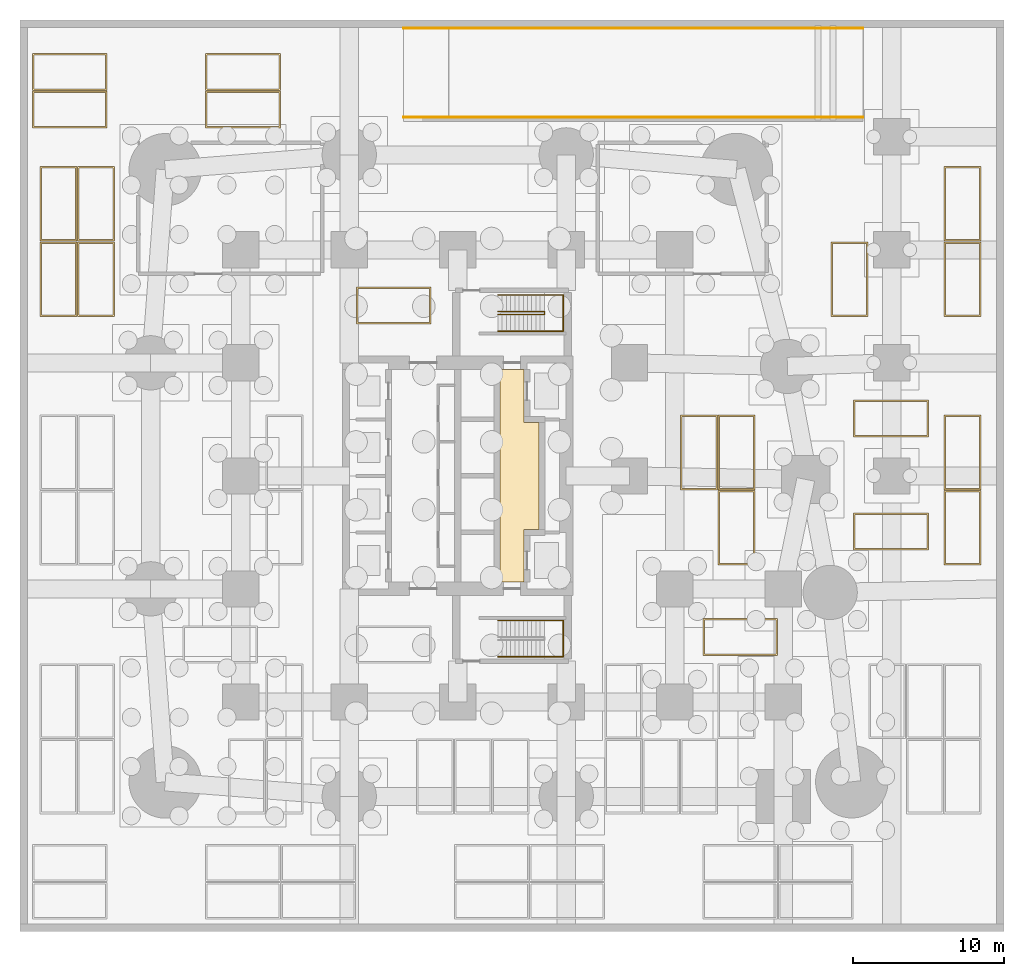
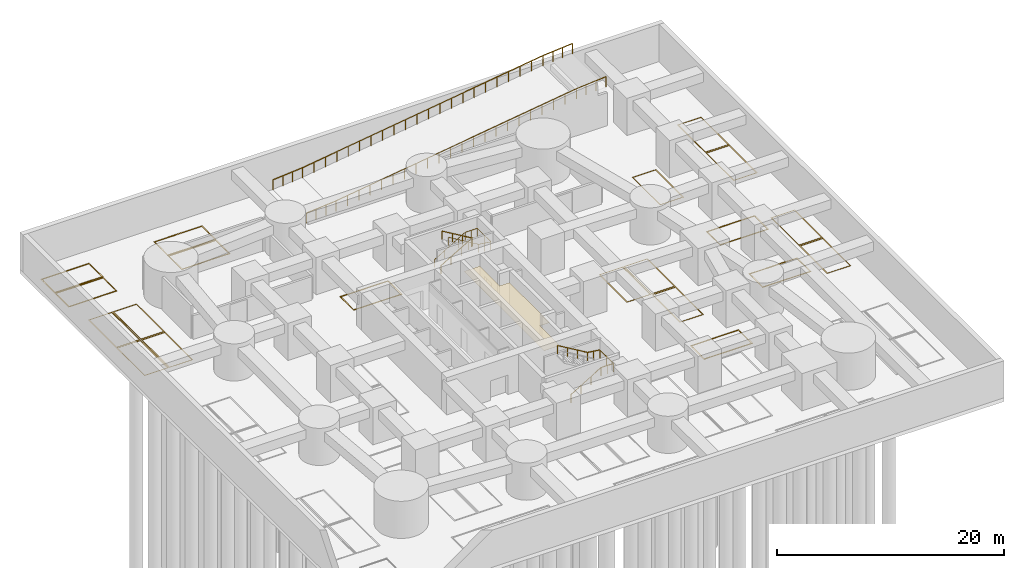
# One storey, part 9 of 10: 21 coverings, 5 railings.
"""IFC4 building model written with IfcOpenShell, lengths in metres."""

from ifc_helpers import new_model, si_unit, direction, frame, origin, origin_2d, place, context, subcontext, project, spatial, polyline, circle, outline, extrude, material, layer, layer_set, type_object, element, save


model = new_model("IFC4")

# Units and contexts
model_context = context("Model", 3, precision=1e-05, world=origin(), true_north=direction((0.0, 1.0)))
body_context = subcontext(model_context, "Body", "Model", "MODEL_VIEW")
ifc_project = project(units=[si_unit("LENGTHUNIT", "METRE"), si_unit("AREAUNIT", "SQUARE_METRE"), si_unit("VOLUMEUNIT", "CUBIC_METRE"), si_unit("PLANEANGLEUNIT", "RADIAN"), si_unit("MASSUNIT", "GRAM", prefix="KILO")], contexts=[model_context])

# Site, building, storey
site_placement = place(None, origin())
site = spatial("IfcSite", under=ifc_project, at=site_placement, CompositionType="ELEMENT")
building_placement = place(site_placement, origin())
building = spatial("IfcBuilding", under=site, at=building_placement, Name="Sheger Commons Tower", CompositionType="ELEMENT")
storey_placement = place(building_placement, frame((0.0, 0.0, -8.0)))
storey = spatial("IfcBuildingStorey", under=building, at=storey_placement, Name="B2", CompositionType="ELEMENT", Elevation=-8.0)

# Railings
ifc_material_1 = material(Name="Steel handrail, black powder-coated", Category="steel")
railing_type_1 = type_object("IfcRailingType", Name="HANDRAIL 900", PredefinedType="HANDRAIL", material=ifc_material_1)
railing_1_placement = place(storey_placement, frame((24.27001953125, 10.5, 0.166748046875)))
element("IfcRailing", 1, at=railing_1_placement, inside=storey, type_object=railing_type_1, Name="Stair S1 handrail B2", PredefinedType="HANDRAIL", context=body_context, shape_type="SweptSolid", body=[
    extrude(circle(Radius=0.02392578125, at=origin_2d()), frame((0.0, 0.0, 0.8759765625), z_axis=(0.859308565015, 0.0, 0.511457515432), x_axis=(0.0, 1.0, 0.0)), (0.0, 0.0, 1.0), 3.58447265625),
    extrude(circle(Radius=0.02392578125, at=origin_2d()), frame((3.080078125, 0.0, 2.708984375), z_axis=(1.0, 0.0, 0.0), x_axis=(0.0, 1.0, 0.0)), (0.0, 0.0, 1.0), 1.25),
    extrude(circle(Radius=0.02392578125, at=origin_2d()), frame((4.330078125, 0.0, 2.708984375), z_axis=(0.0, 1.0, 0.0), x_axis=(-1.0, 0.0, 0.0)), (0.0, 0.0, 1.0), 2.39990234375),
    extrude(circle(Radius=0.02392578125, at=origin_2d()), frame((4.330078125, 2.39990234375, 2.708984375), z_axis=(-0.991219444613, 0.0, 0.132227125131), x_axis=(0.0, -1.0, 0.0)), (0.0, 0.0, 1.0), 1.260986328125),
    extrude(circle(Radius=0.02392578125, at=origin_2d()), frame((3.080078125, 2.39990234375, 2.8759765625), z_axis=(-0.859308565015, 0.0, 0.511457515432), x_axis=(0.0, -1.0, 0.0)), (0.0, 0.0, 1.0), 3.58447265625),
    extrude(circle(Radius=0.02099609375, at=origin_2d()), origin(), (0.0, 0.0, 1.0), 0.851806640625),
    extrude(circle(Radius=0.02099609375, at=origin_2d()), frame((1.026611328125, 0.0, 0.611083984375)), (0.0, 0.0, 1.0), 0.851806640625),
    extrude(circle(Radius=0.02099609375, at=origin_2d()), frame((2.053466796875, 0.0, 1.22216796875)), (0.0, 0.0, 1.0), 0.851806640625),
    extrude(circle(Radius=0.02099609375, at=origin_2d()), frame((3.080078125, 0.0, 1.833251953125)), (0.0, 0.0, 1.0), 0.851806640625),
    extrude(circle(Radius=0.02099609375, at=origin_2d()), frame((3.705078125, 0.0, 1.833251953125)), (0.0, 0.0, 1.0), 0.851806640625),
    extrude(circle(Radius=0.02099609375, at=origin_2d()), frame((4.330078125, 0.0, 1.833251953125)), (0.0, 0.0, 1.0), 0.851806640625),
    extrude(circle(Radius=0.02099609375, at=origin_2d()), frame((4.330078125, 1.199951171875, 1.833251953125)), (0.0, 0.0, 1.0), 0.851806640625),
    extrude(circle(Radius=0.02099609375, at=origin_2d()), frame((4.330078125, 2.39990234375, 1.833251953125)), (0.0, 0.0, 1.0), 0.851806640625),
    extrude(circle(Radius=0.02099609375, at=origin_2d()), frame((3.705078125, 2.39990234375, 1.91650390625)), (0.0, 0.0, 1.0), 0.851806640625),
    extrude(circle(Radius=0.02099609375, at=origin_2d()), frame((3.080078125, 2.39990234375, 2.0)), (0.0, 0.0, 1.0), 0.851806640625),
    extrude(circle(Radius=0.02099609375, at=origin_2d()), frame((2.053466796875, 2.39990234375, 2.611083984375)), (0.0, 0.0, 1.0), 0.851806640625),
    extrude(circle(Radius=0.02099609375, at=origin_2d()), frame((1.026611328125, 2.39990234375, 3.22216796875)), (0.0, 0.0, 1.0), 0.851806640625),
    extrude(circle(Radius=0.02099609375, at=origin_2d()), frame((0.0, 2.39990234375, 3.833251953125)), (0.0, 0.0, 1.0), 0.851806640625),
])
railing_2_placement = place(storey_placement, frame((24.27001953125, 33.39990234375, 0.166748046875)))
element("IfcRailing", 2, at=railing_2_placement, inside=storey, type_object=railing_type_1, Name="Stair S2 handrail B2", PredefinedType="HANDRAIL", context=body_context, shape_type="SweptSolid", body=[
    extrude(circle(Radius=0.02392578125, at=origin_2d()), frame((0.0, 0.0, 0.8759765625), z_axis=(0.859308565015, 0.0, 0.511457515432), x_axis=(0.0, 1.0, 0.0)), (0.0, 0.0, 1.0), 3.58447265625),
    extrude(circle(Radius=0.02392578125, at=origin_2d()), frame((3.080078125, 0.0, 2.708984375), z_axis=(0.0, -0.767990643491, 0.640461061666), x_axis=(1.0, 0.0, 0.0)), (0.0, 0.0, 1.0), 0.26025390625),
    extrude(circle(Radius=0.02392578125, at=origin_2d()), frame((3.080078125, -0.199951171875, 2.8759765625), z_axis=(-0.859308565015, 0.0, 0.511457515432), x_axis=(0.0, -1.0, 0.0)), (0.0, 0.0, 1.0), 3.58447265625),
    extrude(circle(Radius=0.02099609375, at=origin_2d()), origin(), (0.0, 0.0, 1.0), 0.851806640625),
    extrude(circle(Radius=0.02099609375, at=origin_2d()), frame((1.026611328125, 0.0, 0.611083984375)), (0.0, 0.0, 1.0), 0.851806640625),
    extrude(circle(Radius=0.02099609375, at=origin_2d()), frame((2.053466796875, 0.0, 1.22216796875)), (0.0, 0.0, 1.0), 0.851806640625),
    extrude(circle(Radius=0.02099609375, at=origin_2d()), frame((3.080078125, 0.0, 1.833251953125)), (0.0, 0.0, 1.0), 0.851806640625),
    extrude(circle(Radius=0.02099609375, at=origin_2d()), frame((3.080078125, -0.199951171875, 2.0)), (0.0, 0.0, 1.0), 0.851806640625),
    extrude(circle(Radius=0.02099609375, at=origin_2d()), frame((2.053466796875, -0.199951171875, 2.611083984375)), (0.0, 0.0, 1.0), 0.851806640625),
    extrude(circle(Radius=0.02099609375, at=origin_2d()), frame((1.026611328125, -0.199951171875, 3.22216796875)), (0.0, 0.0, 1.0), 0.851806640625),
    extrude(circle(Radius=0.02099609375, at=origin_2d()), frame((0.0, -0.199951171875, 3.833251953125)), (0.0, 0.0, 1.0), 0.851806640625),
])
railing_3_placement = place(storey_placement, frame((24.27001953125, 34.5, 0.166748046875)))
element("IfcRailing", 3, at=railing_3_placement, inside=storey, type_object=railing_type_1, Name="Stair S2 handrail B2", PredefinedType="HANDRAIL", context=body_context, shape_type="SweptSolid", body=[
    extrude(circle(Radius=0.02392578125, at=origin_2d()), frame((0.0, 0.0, 0.8759765625), z_axis=(0.859308565015, 0.0, 0.511457515432), x_axis=(0.0, 1.0, 0.0)), (0.0, 0.0, 1.0), 3.58447265625),
    extrude(circle(Radius=0.02392578125, at=origin_2d()), frame((3.080078125, 0.0, 2.708984375), z_axis=(1.0, 0.0, 0.0), x_axis=(0.0, 1.0, 0.0)), (0.0, 0.0, 1.0), 1.25),
    extrude(circle(Radius=0.02392578125, at=origin_2d()), frame((4.330078125, 0.0, 2.708984375), z_axis=(0.0, -1.0, 0.0), x_axis=(1.0, 0.0, 0.0)), (0.0, 0.0, 1.0), 2.39990234375),
    extrude(circle(Radius=0.02392578125, at=origin_2d()), frame((4.330078125, -2.39990234375, 2.708984375), z_axis=(-0.991219444613, 0.0, 0.132227125131), x_axis=(0.0, -1.0, 0.0)), (0.0, 0.0, 1.0), 1.260986328125),
    extrude(circle(Radius=0.02392578125, at=origin_2d()), frame((3.080078125, -2.39990234375, 2.8759765625), z_axis=(-0.859308565015, 0.0, 0.511457515432), x_axis=(0.0, -1.0, 0.0)), (0.0, 0.0, 1.0), 3.58447265625),
    extrude(circle(Radius=0.02099609375, at=origin_2d()), origin(), (0.0, 0.0, 1.0), 0.851806640625),
    extrude(circle(Radius=0.02099609375, at=origin_2d()), frame((1.026611328125, 0.0, 0.611083984375)), (0.0, 0.0, 1.0), 0.851806640625),
    extrude(circle(Radius=0.02099609375, at=origin_2d()), frame((2.053466796875, 0.0, 1.22216796875)), (0.0, 0.0, 1.0), 0.851806640625),
    extrude(circle(Radius=0.02099609375, at=origin_2d()), frame((3.080078125, 0.0, 1.833251953125)), (0.0, 0.0, 1.0), 0.851806640625),
    extrude(circle(Radius=0.02099609375, at=origin_2d()), frame((3.705078125, 0.0, 1.833251953125)), (0.0, 0.0, 1.0), 0.851806640625),
    extrude(circle(Radius=0.02099609375, at=origin_2d()), frame((4.330078125, 0.0, 1.833251953125)), (0.0, 0.0, 1.0), 0.851806640625),
    extrude(circle(Radius=0.02099609375, at=origin_2d()), frame((4.330078125, -1.199951171875, 1.833251953125)), (0.0, 0.0, 1.0), 0.851806640625),
    extrude(circle(Radius=0.02099609375, at=origin_2d()), frame((4.330078125, -2.39990234375, 1.833251953125)), (0.0, 0.0, 1.0), 0.851806640625),
    extrude(circle(Radius=0.02099609375, at=origin_2d()), frame((3.705078125, -2.39990234375, 1.91650390625)), (0.0, 0.0, 1.0), 0.851806640625),
    extrude(circle(Radius=0.02099609375, at=origin_2d()), frame((3.080078125, -2.39990234375, 2.0)), (0.0, 0.0, 1.0), 0.851806640625),
    extrude(circle(Radius=0.02099609375, at=origin_2d()), frame((2.053466796875, -2.39990234375, 2.611083984375)), (0.0, 0.0, 1.0), 0.851806640625),
    extrude(circle(Radius=0.02099609375, at=origin_2d()), frame((1.026611328125, -2.39990234375, 3.22216796875)), (0.0, 0.0, 1.0), 0.851806640625),
    extrude(circle(Radius=0.02099609375, at=origin_2d()), frame((0.0, -2.39990234375, 3.833251953125)), (0.0, 0.0, 1.0), 0.851806640625),
])

# Coverings
ifc_material_2 = material(Name="Thermoplastic road marking, white")
ifc_layer_1 = layer(ifc_material_2, 0.0048828125)
ifc_layer_set_1 = layer_set([ifc_layer_1], Name="PARKING BAY MARKING")
covering_type_1 = type_object("IfcCoveringType", Name="PARKING BAY MARKING", PredefinedType="FLOORING", material=ifc_layer_set_1)
covering_1_placement = place(storey_placement, origin())
element("IfcCovering", 4, at=covering_1_placement, inside=storey, type_object=covering_type_1, Name="Parking bay B2-037 marking", PredefinedType="FLOORING", context=body_context, shape_type="SweptSolid", body=[
    extrude(outline(polyline([(37.875, 10.574951171875), (42.824951171875, 10.574951171875), (42.824951171875, 13.02490234375), (37.875, 13.02490234375), (37.875, 10.574951171875)]), holes=[polyline([(42.72509765625, 12.925048828125), (42.72509765625, 10.675048828125), (37.97509765625, 10.675048828125), (37.97509765625, 12.925048828125), (42.72509765625, 12.925048828125)])]), origin(), (0.0, 0.0, 1.0), 0.0048828125),
])
covering_2_placement = place(storey_placement, origin())
element("IfcCovering", 5, at=covering_2_placement, inside=storey, type_object=covering_type_1, Name="Parking bay B2-041 marking", PredefinedType="FLOORING", context=body_context, shape_type="SweptSolid", body=[
    extrude(outline(polyline([(38.875, 16.574951171875), (41.324951171875, 16.574951171875), (41.324951171875, 21.52490234375), (38.875, 21.52490234375), (38.875, 16.574951171875)]), holes=[polyline([(41.22509765625, 21.425048828125), (41.22509765625, 16.675048828125), (38.97509765625, 16.675048828125), (38.97509765625, 21.425048828125), (41.22509765625, 21.425048828125)])]), origin(), (0.0, 0.0, 1.0), 0.0048828125),
])
covering_3_placement = place(storey_placement, origin())
element("IfcCovering", 6, at=covering_3_placement, inside=storey, type_object=covering_type_1, Name="Parking bay B2-042 marking", PredefinedType="FLOORING", context=body_context, shape_type="SweptSolid", body=[
    extrude(outline(polyline([(53.875, 16.574951171875), (56.324951171875, 16.574951171875), (56.324951171875, 21.52490234375), (53.875, 21.52490234375), (53.875, 16.574951171875)]), holes=[polyline([(56.22509765625, 21.425048828125), (56.22509765625, 16.675048828125), (53.97509765625, 16.675048828125), (53.97509765625, 21.425048828125), (56.22509765625, 21.425048828125)])]), origin(), (0.0, 0.0, 1.0), 0.0048828125),
])
covering_4_placement = place(storey_placement, origin())
element("IfcCovering", 7, at=covering_4_placement, inside=storey, type_object=covering_type_1, Name="Parking bay B2-043 marking", PredefinedType="FLOORING", context=body_context, shape_type="SweptSolid", body=[
    extrude(outline(polyline([(47.875, 17.574951171875), (52.824951171875, 17.574951171875), (52.824951171875, 20.02490234375), (47.875, 20.02490234375), (47.875, 17.574951171875)]), holes=[polyline([(52.72509765625, 19.925048828125), (52.72509765625, 17.675048828125), (47.97509765625, 17.675048828125), (47.97509765625, 19.925048828125), (52.72509765625, 19.925048828125)])]), origin(), (0.0, 0.0, 1.0), 0.0048828125),
])
covering_5_placement = place(storey_placement, origin())
element("IfcCovering", 8, at=covering_5_placement, inside=storey, type_object=covering_type_1, Name="Parking bay B2-047 marking", PredefinedType="FLOORING", context=body_context, shape_type="SweptSolid", body=[
    extrude(outline(polyline([(36.375, 21.574951171875), (38.824951171875, 21.574951171875), (38.824951171875, 26.52490234375), (36.375, 26.52490234375), (36.375, 21.574951171875)]), holes=[polyline([(38.72509765625, 26.425048828125), (38.72509765625, 21.675048828125), (36.47509765625, 21.675048828125), (36.47509765625, 26.425048828125), (38.72509765625, 26.425048828125)])]), origin(), (0.0, 0.0, 1.0), 0.0048828125),
])
covering_6_placement = place(storey_placement, origin())
element("IfcCovering", 9, at=covering_6_placement, inside=storey, type_object=covering_type_1, Name="Parking bay B2-048 marking", PredefinedType="FLOORING", context=body_context, shape_type="SweptSolid", body=[
    extrude(outline(polyline([(38.875, 21.574951171875), (41.324951171875, 21.574951171875), (41.324951171875, 26.52490234375), (38.875, 26.52490234375), (38.875, 21.574951171875)]), holes=[polyline([(41.22509765625, 26.425048828125), (41.22509765625, 21.675048828125), (38.97509765625, 21.675048828125), (38.97509765625, 26.425048828125), (41.22509765625, 26.425048828125)])]), origin(), (0.0, 0.0, 1.0), 0.0048828125),
])
covering_7_placement = place(storey_placement, origin())
element("IfcCovering", 10, at=covering_7_placement, inside=storey, type_object=covering_type_1, Name="Parking bay B2-049 marking", PredefinedType="FLOORING", context=body_context, shape_type="SweptSolid", body=[
    extrude(outline(polyline([(53.875, 21.574951171875), (56.324951171875, 21.574951171875), (56.324951171875, 26.52490234375), (53.875, 26.52490234375), (53.875, 21.574951171875)]), holes=[polyline([(56.22509765625, 26.425048828125), (56.22509765625, 21.675048828125), (53.97509765625, 21.675048828125), (53.97509765625, 26.425048828125), (56.22509765625, 26.425048828125)])]), origin(), (0.0, 0.0, 1.0), 0.0048828125),
])
covering_8_placement = place(storey_placement, origin())
element("IfcCovering", 11, at=covering_8_placement, inside=storey, type_object=covering_type_1, Name="Parking bay B2-050 marking", PredefinedType="FLOORING", context=body_context, shape_type="SweptSolid", body=[
    extrude(outline(polyline([(47.875, 25.074951171875), (52.824951171875, 25.074951171875), (52.824951171875, 27.52490234375), (47.875, 27.52490234375), (47.875, 25.074951171875)]), holes=[polyline([(52.72509765625, 27.425048828125), (52.72509765625, 25.175048828125), (47.97509765625, 25.175048828125), (47.97509765625, 27.425048828125), (52.72509765625, 27.425048828125)])]), origin(), (0.0, 0.0, 1.0), 0.0048828125),
])
covering_9_placement = place(storey_placement, origin())
element("IfcCovering", 12, at=covering_9_placement, inside=storey, type_object=covering_type_1, Name="Parking bay B2-051 marking", PredefinedType="FLOORING", context=body_context, shape_type="SweptSolid", body=[
    extrude(outline(polyline([(14.875, 32.574951171875), (19.824951171875, 32.574951171875), (19.824951171875, 35.02490234375), (14.875, 35.02490234375), (14.875, 32.574951171875)]), holes=[polyline([(19.72509765625, 34.925048828125), (19.72509765625, 32.675048828125), (14.97509765625, 32.675048828125), (14.97509765625, 34.925048828125), (19.72509765625, 34.925048828125)])]), origin(), (0.0, 0.0, 1.0), 0.0048828125),
])
covering_10_placement = place(storey_placement, origin())
element("IfcCovering", 13, at=covering_10_placement, inside=storey, type_object=covering_type_1, Name="Parking bay B2-052 marking", PredefinedType="FLOORING", context=body_context, shape_type="SweptSolid", body=[
    extrude(outline(polyline([(-6.125, 33.074951171875), (-3.675048828125, 33.074951171875), (-3.675048828125, 38.02490234375), (-6.125, 38.02490234375), (-6.125, 33.074951171875)]), holes=[polyline([(-3.77490234375, 37.925048828125), (-3.77490234375, 33.175048828125), (-6.02490234375, 33.175048828125), (-6.02490234375, 37.925048828125), (-3.77490234375, 37.925048828125)])]), origin(), (0.0, 0.0, 1.0), 0.0048828125),
])
covering_11_placement = place(storey_placement, origin())
element("IfcCovering", 14, at=covering_11_placement, inside=storey, type_object=covering_type_1, Name="Parking bay B2-053 marking", PredefinedType="FLOORING", context=body_context, shape_type="SweptSolid", body=[
    extrude(outline(polyline([(-3.625, 33.074951171875), (-1.175048828125, 33.074951171875), (-1.175048828125, 38.02490234375), (-3.625, 38.02490234375), (-3.625, 33.074951171875)]), holes=[polyline([(-1.27490234375, 37.925048828125), (-1.27490234375, 33.175048828125), (-3.52490234375, 33.175048828125), (-3.52490234375, 37.925048828125), (-1.27490234375, 37.925048828125)])]), origin(), (0.0, 0.0, 1.0), 0.0048828125),
])
covering_12_placement = place(storey_placement, origin())
element("IfcCovering", 15, at=covering_12_placement, inside=storey, type_object=covering_type_1, Name="Parking bay B2-054 marking", PredefinedType="FLOORING", context=body_context, shape_type="SweptSolid", body=[
    extrude(outline(polyline([(46.375, 33.074951171875), (48.824951171875, 33.074951171875), (48.824951171875, 38.02490234375), (46.375, 38.02490234375), (46.375, 33.074951171875)]), holes=[polyline([(48.72509765625, 37.925048828125), (48.72509765625, 33.175048828125), (46.47509765625, 33.175048828125), (46.47509765625, 37.925048828125), (48.72509765625, 37.925048828125)])]), origin(), (0.0, 0.0, 1.0), 0.0048828125),
])
covering_13_placement = place(storey_placement, origin())
element("IfcCovering", 16, at=covering_13_placement, inside=storey, type_object=covering_type_1, Name="Parking bay B2-055 marking", PredefinedType="FLOORING", context=body_context, shape_type="SweptSolid", body=[
    extrude(outline(polyline([(53.875, 33.074951171875), (56.324951171875, 33.074951171875), (56.324951171875, 38.02490234375), (53.875, 38.02490234375), (53.875, 33.074951171875)]), holes=[polyline([(56.22509765625, 37.925048828125), (56.22509765625, 33.175048828125), (53.97509765625, 33.175048828125), (53.97509765625, 37.925048828125), (56.22509765625, 37.925048828125)])]), origin(), (0.0, 0.0, 1.0), 0.0048828125),
])
covering_14_placement = place(storey_placement, origin())
element("IfcCovering", 17, at=covering_14_placement, inside=storey, type_object=covering_type_1, Name="Parking bay B2-056 marking", PredefinedType="FLOORING", context=body_context, shape_type="SweptSolid", body=[
    extrude(outline(polyline([(-6.125, 38.074951171875), (-3.675048828125, 38.074951171875), (-3.675048828125, 43.02490234375), (-6.125, 43.02490234375), (-6.125, 38.074951171875)]), holes=[polyline([(-3.77490234375, 42.925048828125), (-3.77490234375, 38.175048828125), (-6.02490234375, 38.175048828125), (-6.02490234375, 42.925048828125), (-3.77490234375, 42.925048828125)])]), origin(), (0.0, 0.0, 1.0), 0.0048828125),
])
covering_15_placement = place(storey_placement, origin())
element("IfcCovering", 18, at=covering_15_placement, inside=storey, type_object=covering_type_1, Name="Parking bay B2-057 marking", PredefinedType="FLOORING", context=body_context, shape_type="SweptSolid", body=[
    extrude(outline(polyline([(-3.625, 38.074951171875), (-1.175048828125, 38.074951171875), (-1.175048828125, 43.02490234375), (-3.625, 43.02490234375), (-3.625, 38.074951171875)]), holes=[polyline([(-1.27490234375, 42.925048828125), (-1.27490234375, 38.175048828125), (-3.52490234375, 38.175048828125), (-3.52490234375, 42.925048828125), (-1.27490234375, 42.925048828125)])]), origin(), (0.0, 0.0, 1.0), 0.0048828125),
])
covering_16_placement = place(storey_placement, origin())
element("IfcCovering", 19, at=covering_16_placement, inside=storey, type_object=covering_type_1, Name="Parking bay B2-058 marking", PredefinedType="FLOORING", context=body_context, shape_type="SweptSolid", body=[
    extrude(outline(polyline([(53.875, 38.074951171875), (56.324951171875, 38.074951171875), (56.324951171875, 43.02490234375), (53.875, 43.02490234375), (53.875, 38.074951171875)]), holes=[polyline([(56.22509765625, 42.925048828125), (56.22509765625, 38.175048828125), (53.97509765625, 38.175048828125), (53.97509765625, 42.925048828125), (56.22509765625, 42.925048828125)])]), origin(), (0.0, 0.0, 1.0), 0.0048828125),
])
covering_17_placement = place(storey_placement, origin())
element("IfcCovering", 20, at=covering_17_placement, inside=storey, type_object=covering_type_1, Name="Parking bay B2-059 marking", PredefinedType="FLOORING", context=body_context, shape_type="SweptSolid", body=[
    extrude(outline(polyline([(-6.625, 45.574951171875), (-1.675048828125, 45.574951171875), (-1.675048828125, 48.02490234375), (-6.625, 48.02490234375), (-6.625, 45.574951171875)]), holes=[polyline([(-1.77490234375, 47.925048828125), (-1.77490234375, 45.675048828125), (-6.52490234375, 45.675048828125), (-6.52490234375, 47.925048828125), (-1.77490234375, 47.925048828125)])]), origin(), (0.0, 0.0, 1.0), 0.0048828125),
])
covering_18_placement = place(storey_placement, origin())
element("IfcCovering", 21, at=covering_18_placement, inside=storey, type_object=covering_type_1, Name="Parking bay B2-060 marking", PredefinedType="FLOORING", context=body_context, shape_type="SweptSolid", body=[
    extrude(outline(polyline([(4.875, 45.574951171875), (9.824951171875, 45.574951171875), (9.824951171875, 48.02490234375), (4.875, 48.02490234375), (4.875, 45.574951171875)]), holes=[polyline([(9.72509765625, 47.925048828125), (9.72509765625, 45.675048828125), (4.97509765625, 45.675048828125), (4.97509765625, 47.925048828125), (9.72509765625, 47.925048828125)])]), origin(), (0.0, 0.0, 1.0), 0.0048828125),
])
covering_19_placement = place(storey_placement, origin())
element("IfcCovering", 22, at=covering_19_placement, inside=storey, type_object=covering_type_1, Name="Parking bay B2-061 marking", PredefinedType="FLOORING", context=body_context, shape_type="SweptSolid", body=[
    extrude(outline(polyline([(-6.625, 48.074951171875), (-1.675048828125, 48.074951171875), (-1.675048828125, 50.52490234375), (-6.625, 50.52490234375), (-6.625, 48.074951171875)]), holes=[polyline([(-1.77490234375, 50.425048828125), (-1.77490234375, 48.175048828125), (-6.52490234375, 48.175048828125), (-6.52490234375, 50.425048828125), (-1.77490234375, 50.425048828125)])]), origin(), (0.0, 0.0, 1.0), 0.0048828125),
])
covering_20_placement = place(storey_placement, origin())
element("IfcCovering", 23, at=covering_20_placement, inside=storey, type_object=covering_type_1, Name="Parking bay B2-062 marking", PredefinedType="FLOORING", context=body_context, shape_type="SweptSolid", body=[
    extrude(outline(polyline([(4.875, 48.074951171875), (9.824951171875, 48.074951171875), (9.824951171875, 50.52490234375), (4.875, 50.52490234375), (4.875, 48.074951171875)]), holes=[polyline([(9.72509765625, 50.425048828125), (9.72509765625, 48.175048828125), (4.97509765625, 48.175048828125), (4.97509765625, 50.425048828125), (9.72509765625, 50.425048828125)])]), origin(), (0.0, 0.0, 1.0), 0.0048828125),
])
ifc_material_3 = material(Name="Gypsum plasterboard 15 mm on a suspended steel grid", Category="steel")
ifc_layer_2 = layer(ifc_material_3, 0.014892578125)
ifc_layer_set_2 = layer_set([ifc_layer_2], Name="SUSPENDED CEILING 15")
covering_type_2 = type_object("IfcCoveringType", Name="SUSPENDED CEILING 15", PredefinedType="CEILING", material=ifc_layer_set_2)
covering_21_placement = place(storey_placement, frame((0.0, 0.0, 2.699951171875)))
element("IfcCovering", 24, at=covering_21_placement, inside=storey, type_object=covering_type_2, Name="B2-FL ceiling", PredefinedType="CEILING", context=body_context, shape_type="SweptSolid", body=[
    extrude(outline(polyline([(24.405029296875, 15.455078125), (25.9951171875, 15.455078125), (25.9951171875, 18.955078125), (26.9951171875, 18.955078125), (26.9951171875, 26.044921875), (25.9951171875, 26.044921875), (25.9951171875, 29.544921875), (24.405029296875, 29.544921875), (24.405029296875, 15.455078125)])), origin(), (0.0, 0.0, 1.0), 0.01513671875),
])

# Railings
ifc_material_4 = material(Name="Galvanised steel vehicle barrier rail", Category="steel")
railing_type_2 = type_object("IfcRailingType", Name="VEHICLE GUARD 1100", PredefinedType="GUARDRAIL", material=ifc_material_4)
railing_4_placement = place(storey_placement, frame((48.5, 46.300048828125, 4.0)))
element("IfcRailing", 25, at=railing_4_placement, inside=storey, type_object=railing_type_2, Name="R2 ramp guard south", PredefinedType="GUARDRAIL", context=body_context, shape_type="SweptSolid", body=[
    extrude(circle(Radius=0.02392578125, at=origin_2d()), frame((0.0, 0.0, 1.0771484375), z_axis=(-0.996545758245, 0.0, -0.083045479854), x_axis=(0.0, -1.0, 0.0)), (0.0, 0.0, 1.0), 3.010498046875),
    extrude(circle(Radius=0.02392578125, at=origin_2d()), frame((-3.0, 0.0, 0.8271484375), z_axis=(-0.989949493661, 0.0, -0.141421356237), x_axis=(0.0, -1.0, 0.0)), (0.0, 0.0, 1.0), 24.748779296875),
    extrude(circle(Radius=0.02392578125, at=origin_2d()), frame((-27.5, 0.0, -2.6728515625), z_axis=(-0.996545758245, 0.0, -0.083045479854), x_axis=(0.0, -1.0, 0.0)), (0.0, 0.0, 1.0), 3.010498046875),
    extrude(circle(Radius=0.02099609375, at=origin_2d()), origin(), (0.0, 0.0, 1.0), 1.052001953125),
    extrude(circle(Radius=0.02099609375, at=origin_2d()), frame((-1.0, 0.0, -0.083251953125)), (0.0, 0.0, 1.0), 1.052001953125),
    extrude(circle(Radius=0.02099609375, at=origin_2d()), frame((-2.0, 0.0, -0.166748046875)), (0.0, 0.0, 1.0), 1.052001953125),
    extrude(circle(Radius=0.02099609375, at=origin_2d()), frame((-3.0, 0.0, -0.25)), (0.0, 0.0, 1.0), 1.052001953125),
    extrude(circle(Radius=0.02099609375, at=origin_2d()), frame((-4.166748046875, 0.0, -0.416748046875)), (0.0, 0.0, 1.0), 1.052001953125),
    extrude(circle(Radius=0.02099609375, at=origin_2d()), frame((-5.333251953125, 0.0, -0.583251953125)), (0.0, 0.0, 1.0), 1.052001953125),
    extrude(circle(Radius=0.02099609375, at=origin_2d()), frame((-6.5, 0.0, -0.75)), (0.0, 0.0, 1.0), 1.052001953125),
    extrude(circle(Radius=0.02099609375, at=origin_2d()), frame((-7.666748046875, 0.0, -0.916748046875)), (0.0, 0.0, 1.0), 1.052001953125),
    extrude(circle(Radius=0.02099609375, at=origin_2d()), frame((-8.833251953125, 0.0, -1.083251953125)), (0.0, 0.0, 1.0), 1.052001953125),
    extrude(circle(Radius=0.02099609375, at=origin_2d()), frame((-10.0, 0.0, -1.25)), (0.0, 0.0, 1.0), 1.052001953125),
    extrude(circle(Radius=0.02099609375, at=origin_2d()), frame((-11.166748046875, 0.0, -1.416748046875)), (0.0, 0.0, 1.0), 1.052001953125),
    extrude(circle(Radius=0.02099609375, at=origin_2d()), frame((-12.333251953125, 0.0, -1.583251953125)), (0.0, 0.0, 1.0), 1.052001953125),
    extrude(circle(Radius=0.02099609375, at=origin_2d()), frame((-13.5, 0.0, -1.75)), (0.0, 0.0, 1.0), 1.052001953125),
    extrude(circle(Radius=0.02099609375, at=origin_2d()), frame((-14.666748046875, 0.0, -1.916748046875)), (0.0, 0.0, 1.0), 1.052001953125),
    extrude(circle(Radius=0.02099609375, at=origin_2d()), frame((-15.833251953125, 0.0, -2.083251953125)), (0.0, 0.0, 1.0), 1.052001953125),
    extrude(circle(Radius=0.02099609375, at=origin_2d()), frame((-17.0, 0.0, -2.25)), (0.0, 0.0, 1.0), 1.052001953125),
    extrude(circle(Radius=0.02099609375, at=origin_2d()), frame((-18.166748046875, 0.0, -2.416748046875)), (0.0, 0.0, 1.0), 1.052001953125),
    extrude(circle(Radius=0.02099609375, at=origin_2d()), frame((-19.333251953125, 0.0, -2.583251953125)), (0.0, 0.0, 1.0), 1.052001953125),
    extrude(circle(Radius=0.02099609375, at=origin_2d()), frame((-20.5, 0.0, -2.75)), (0.0, 0.0, 1.0), 1.052001953125),
    extrude(circle(Radius=0.02099609375, at=origin_2d()), frame((-21.666748046875, 0.0, -2.916748046875)), (0.0, 0.0, 1.0), 1.052001953125),
    extrude(circle(Radius=0.02099609375, at=origin_2d()), frame((-22.833251953125, 0.0, -3.083251953125)), (0.0, 0.0, 1.0), 1.052001953125),
    extrude(circle(Radius=0.02099609375, at=origin_2d()), frame((-24.0, 0.0, -3.25)), (0.0, 0.0, 1.0), 1.052001953125),
    extrude(circle(Radius=0.02099609375, at=origin_2d()), frame((-25.166748046875, 0.0, -3.416748046875)), (0.0, 0.0, 1.0), 1.052001953125),
    extrude(circle(Radius=0.02099609375, at=origin_2d()), frame((-26.333251953125, 0.0, -3.583251953125)), (0.0, 0.0, 1.0), 1.052001953125),
    extrude(circle(Radius=0.02099609375, at=origin_2d()), frame((-27.5, 0.0, -3.75)), (0.0, 0.0, 1.0), 1.052001953125),
    extrude(circle(Radius=0.02099609375, at=origin_2d()), frame((-28.5, 0.0, -3.833251953125)), (0.0, 0.0, 1.0), 1.052001953125),
    extrude(circle(Radius=0.02099609375, at=origin_2d()), frame((-29.5, 0.0, -3.916748046875)), (0.0, 0.0, 1.0), 1.052001953125),
    extrude(circle(Radius=0.02099609375, at=origin_2d()), frame((-30.5, 0.0, -4.0)), (0.0, 0.0, 1.0), 1.052001953125),
])
railing_5_placement = place(storey_placement, frame((48.5, 52.199951171875, 4.0)))
element("IfcRailing", 26, at=railing_5_placement, inside=storey, type_object=railing_type_2, Name="R2 ramp guard north", PredefinedType="GUARDRAIL", context=body_context, shape_type="SweptSolid", body=[
    extrude(circle(Radius=0.02392578125, at=origin_2d()), frame((0.0, 0.0, 1.0771484375), z_axis=(-0.996545758245, 0.0, -0.083045479854), x_axis=(0.0, -1.0, 0.0)), (0.0, 0.0, 1.0), 3.010498046875),
    extrude(circle(Radius=0.02392578125, at=origin_2d()), frame((-3.0, 0.0, 0.8271484375), z_axis=(-0.989949493661, 0.0, -0.141421356237), x_axis=(0.0, -1.0, 0.0)), (0.0, 0.0, 1.0), 24.748779296875),
    extrude(circle(Radius=0.02392578125, at=origin_2d()), frame((-27.5, 0.0, -2.6728515625), z_axis=(-0.996545758245, 0.0, -0.083045479854), x_axis=(0.0, -1.0, 0.0)), (0.0, 0.0, 1.0), 3.010498046875),
    extrude(circle(Radius=0.02099609375, at=origin_2d()), origin(), (0.0, 0.0, 1.0), 1.052001953125),
    extrude(circle(Radius=0.02099609375, at=origin_2d()), frame((-1.0, 0.0, -0.083251953125)), (0.0, 0.0, 1.0), 1.052001953125),
    extrude(circle(Radius=0.02099609375, at=origin_2d()), frame((-2.0, 0.0, -0.166748046875)), (0.0, 0.0, 1.0), 1.052001953125),
    extrude(circle(Radius=0.02099609375, at=origin_2d()), frame((-3.0, 0.0, -0.25)), (0.0, 0.0, 1.0), 1.052001953125),
    extrude(circle(Radius=0.02099609375, at=origin_2d()), frame((-4.166748046875, 0.0, -0.416748046875)), (0.0, 0.0, 1.0), 1.052001953125),
    extrude(circle(Radius=0.02099609375, at=origin_2d()), frame((-5.333251953125, 0.0, -0.583251953125)), (0.0, 0.0, 1.0), 1.052001953125),
    extrude(circle(Radius=0.02099609375, at=origin_2d()), frame((-6.5, 0.0, -0.75)), (0.0, 0.0, 1.0), 1.052001953125),
    extrude(circle(Radius=0.02099609375, at=origin_2d()), frame((-7.666748046875, 0.0, -0.916748046875)), (0.0, 0.0, 1.0), 1.052001953125),
    extrude(circle(Radius=0.02099609375, at=origin_2d()), frame((-8.833251953125, 0.0, -1.083251953125)), (0.0, 0.0, 1.0), 1.052001953125),
    extrude(circle(Radius=0.02099609375, at=origin_2d()), frame((-10.0, 0.0, -1.25)), (0.0, 0.0, 1.0), 1.052001953125),
    extrude(circle(Radius=0.02099609375, at=origin_2d()), frame((-11.166748046875, 0.0, -1.416748046875)), (0.0, 0.0, 1.0), 1.052001953125),
    extrude(circle(Radius=0.02099609375, at=origin_2d()), frame((-12.333251953125, 0.0, -1.583251953125)), (0.0, 0.0, 1.0), 1.052001953125),
    extrude(circle(Radius=0.02099609375, at=origin_2d()), frame((-13.5, 0.0, -1.75)), (0.0, 0.0, 1.0), 1.052001953125),
    extrude(circle(Radius=0.02099609375, at=origin_2d()), frame((-14.666748046875, 0.0, -1.916748046875)), (0.0, 0.0, 1.0), 1.052001953125),
    extrude(circle(Radius=0.02099609375, at=origin_2d()), frame((-15.833251953125, 0.0, -2.083251953125)), (0.0, 0.0, 1.0), 1.052001953125),
    extrude(circle(Radius=0.02099609375, at=origin_2d()), frame((-17.0, 0.0, -2.25)), (0.0, 0.0, 1.0), 1.052001953125),
    extrude(circle(Radius=0.02099609375, at=origin_2d()), frame((-18.166748046875, 0.0, -2.416748046875)), (0.0, 0.0, 1.0), 1.052001953125),
    extrude(circle(Radius=0.02099609375, at=origin_2d()), frame((-19.333251953125, 0.0, -2.583251953125)), (0.0, 0.0, 1.0), 1.052001953125),
    extrude(circle(Radius=0.02099609375, at=origin_2d()), frame((-20.5, 0.0, -2.75)), (0.0, 0.0, 1.0), 1.052001953125),
    extrude(circle(Radius=0.02099609375, at=origin_2d()), frame((-21.666748046875, 0.0, -2.916748046875)), (0.0, 0.0, 1.0), 1.052001953125),
    extrude(circle(Radius=0.02099609375, at=origin_2d()), frame((-22.833251953125, 0.0, -3.083251953125)), (0.0, 0.0, 1.0), 1.052001953125),
    extrude(circle(Radius=0.02099609375, at=origin_2d()), frame((-24.0, 0.0, -3.25)), (0.0, 0.0, 1.0), 1.052001953125),
    extrude(circle(Radius=0.02099609375, at=origin_2d()), frame((-25.166748046875, 0.0, -3.416748046875)), (0.0, 0.0, 1.0), 1.052001953125),
    extrude(circle(Radius=0.02099609375, at=origin_2d()), frame((-26.333251953125, 0.0, -3.583251953125)), (0.0, 0.0, 1.0), 1.052001953125),
    extrude(circle(Radius=0.02099609375, at=origin_2d()), frame((-27.5, 0.0, -3.75)), (0.0, 0.0, 1.0), 1.052001953125),
    extrude(circle(Radius=0.02099609375, at=origin_2d()), frame((-28.5, 0.0, -3.833251953125)), (0.0, 0.0, 1.0), 1.052001953125),
    extrude(circle(Radius=0.02099609375, at=origin_2d()), frame((-29.5, 0.0, -3.916748046875)), (0.0, 0.0, 1.0), 1.052001953125),
    extrude(circle(Radius=0.02099609375, at=origin_2d()), frame((-30.5, 0.0, -4.0)), (0.0, 0.0, 1.0), 1.052001953125),
])

save(model, "model.ifc")
